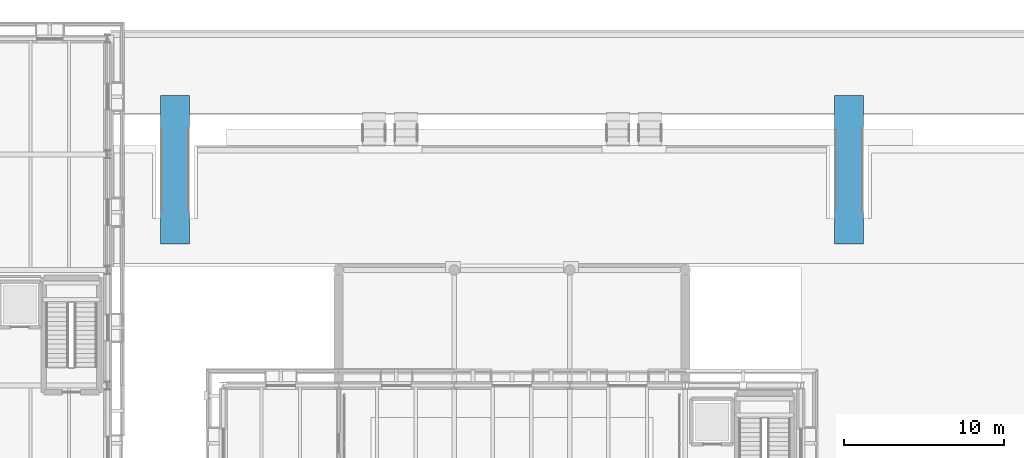
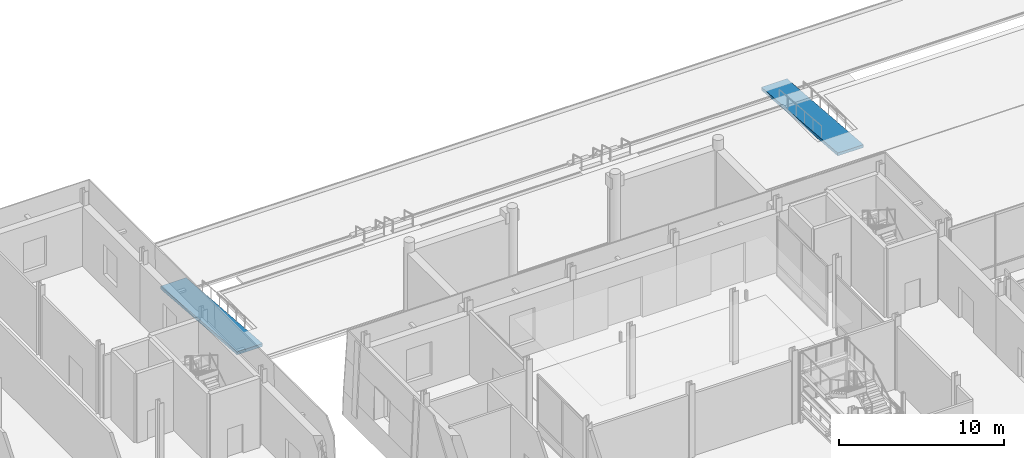
# One storey, part 85 of 120: 2 ramp flights, 2 elements without a shape of their own.
"""IFC4 building model written with IfcOpenShell, lengths in metres."""

from ifc_helpers import new_model, si_unit, direction, frame, origin, place, context, subcontext, project, spatial, polyline, outline, extrude, material, layer, layer_set, type_object, element, aggregate, save


model = new_model("IFC4")

# Units and contexts
model_context = context("Model", 3, precision=1e-05, world=origin(), true_north=direction((0.0, 1.0)))
body_context = subcontext(model_context, "Body", "Model", "MODEL_VIEW")
ifc_project = project(units=[si_unit("LENGTHUNIT", "METRE"), si_unit("AREAUNIT", "SQUARE_METRE"), si_unit("VOLUMEUNIT", "CUBIC_METRE"), si_unit("PLANEANGLEUNIT", "RADIAN"), si_unit("MASSUNIT", "GRAM", prefix="KILO")], contexts=[model_context])

# Site, building, storey
site_placement = place(None, origin())
site = spatial("IfcSite", under=ifc_project, at=site_placement, CompositionType="ELEMENT")
building_placement = place(site_placement, origin())
building = spatial("IfcBuilding", under=site, at=building_placement, Name="Narikvali Park Central Library", CompositionType="ELEMENT")
storey_placement = place(building_placement, origin())
storey = spatial("IfcBuildingStorey", under=building, at=storey_placement, Name="L00", CompositionType="ELEMENT", Elevation=0.0)

# Ramp, ramp flight
ifc_material = material(Name="Bush-Hammered Georgian Granite over Concrete C35/45", Category="masonry")
ramp_type = type_object("IfcRampType", Name="Accessible Forecourt Granite Ramp 1800", PredefinedType="STRAIGHT_RUN_RAMP", material=ifc_material)
ramp_1_placement = place(storey_placement, origin())
ramp_1 = element("IfcRamp", 1, at=ramp_1_placement, inside=storey, type_object=ramp_type, Name="Accessible Forecourt Ramp RMP-01", PredefinedType="STRAIGHT_RUN_RAMP")
ifc_layer = layer(ifc_material, 0.219970703125, Name="Bush-Hammered Georgian Granite over Concrete C35/45")
ifc_layer_set = layer_set([ifc_layer], Name="Bush-Hammered Georgian Granite over Concrete C35/45")
ramp_flight_type = type_object("IfcRampFlightType", Name="Accessible Forecourt Ramp Flight 220", PredefinedType="STRAIGHT", material=ifc_layer_set)
ramp_flight_1_placement = place(storey_placement, frame((61.800048828125, 111.550048828125, -0.72509765625), z_axis=(0.0, 0.0, 1.0), x_axis=(0.0, -1.0, 0.0)))
ramp_flight_1 = element("IfcRampFlight", 2, at=ramp_flight_1_placement, type_object=ramp_flight_type, Name="Accessible Ramp Flight RMP-01", PredefinedType="STRAIGHT", context=body_context, shape_type="SweptSolid", body=[
    extrude(outline(polyline([(-0.1201171875, -0.219970703125), (-0.1201171875, 0.0), (0.0, 0.0), (9.0, 0.72509765625), (9.1201171875, 0.72509765625), (9.1201171875, 0.505126953125), (9.0, 0.505126953125), (0.0, -0.219970703125), (-0.1201171875, -0.219970703125)])), frame((0.0, 0.89990234375, 0.0), z_axis=(0.0, -1.0, 0.0), x_axis=(1.0, 0.0, 0.0)), (0.0, 0.0, 1.0), 1.800048828125),
])
aggregate(ramp_1, [ramp_flight_1])

ramp_2_placement = place(storey_placement, origin())
ramp_2 = element("IfcRamp", 3, at=ramp_2_placement, inside=storey, type_object=ramp_type, Name="Accessible Forecourt Ramp RMP-02", PredefinedType="STRAIGHT_RUN_RAMP")
ramp_flight_2_placement = place(storey_placement, frame((103.800048828125, 111.550048828125, -0.72509765625), z_axis=(0.0, 0.0, 1.0), x_axis=(0.0, -1.0, 0.0)))
ramp_flight_2 = element("IfcRampFlight", 4, at=ramp_flight_2_placement, type_object=ramp_flight_type, Name="Accessible Ramp Flight RMP-02", PredefinedType="STRAIGHT", context=body_context, shape_type="SweptSolid", body=[
    extrude(outline(polyline([(-0.1201171875, -0.219970703125), (-0.1201171875, 0.0), (0.0, 0.0), (9.0, 0.72509765625), (9.1201171875, 0.72509765625), (9.1201171875, 0.505126953125), (9.0, 0.505126953125), (0.0, -0.219970703125), (-0.1201171875, -0.219970703125)])), frame((0.0, 0.89990234375, 0.0), z_axis=(0.0, -1.0, 0.0), x_axis=(1.0, 0.0, 0.0)), (0.0, 0.0, 1.0), 1.800048828125),
])
aggregate(ramp_2, [ramp_flight_2])

save(model, "model.ifc")
